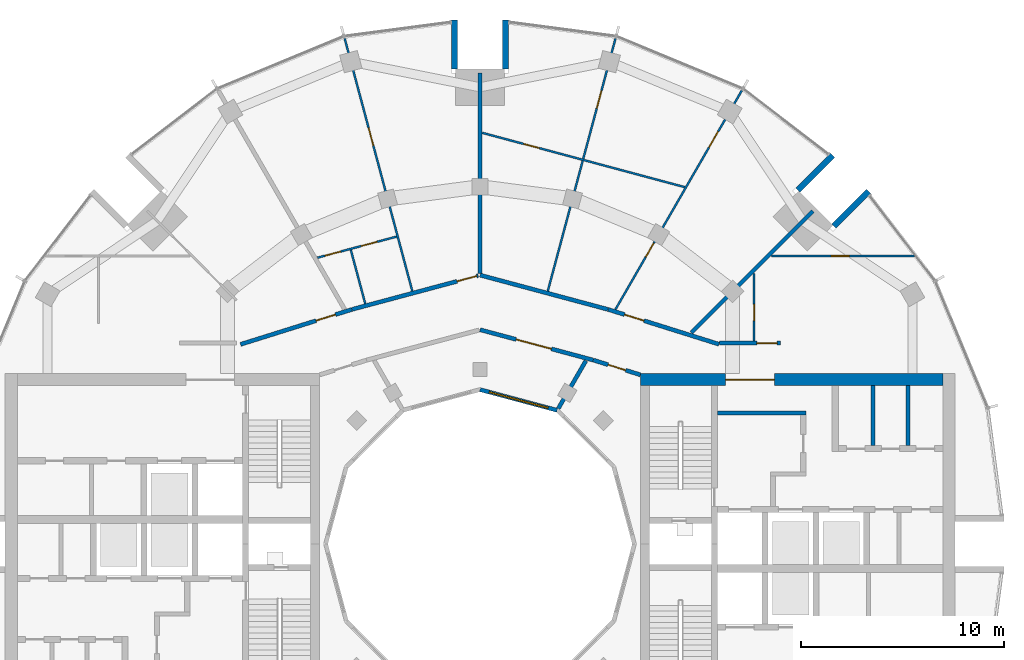
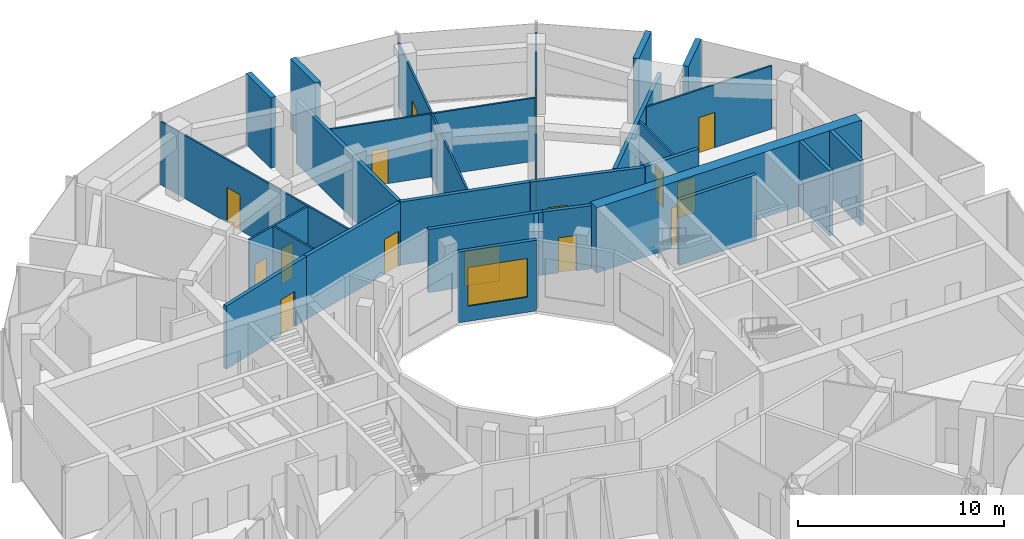
# One storey, part 12 of 15: 27 walls, 16 doors, 1 window, 17 openings.
"""IFC4 building model written with IfcOpenShell, lengths in metres."""

from ifc_helpers import new_model, si_unit, direction, frame, frame_2d, origin, place, context, subcontext, project, spatial, rectangle, extrude, material, layer, layer_set, type_object, element, fill, save


model = new_model("IFC4")

# Units and contexts
model_context = context("Model", 3, precision=1e-05, world=origin(), true_north=direction((0.0, 1.0)))
body_context = subcontext(model_context, "Body", "Model", "MODEL_VIEW")
ifc_project = project(units=[si_unit("LENGTHUNIT", "METRE"), si_unit("AREAUNIT", "SQUARE_METRE"), si_unit("VOLUMEUNIT", "CUBIC_METRE"), si_unit("PLANEANGLEUNIT", "RADIAN"), si_unit("MASSUNIT", "GRAM", prefix="KILO")], contexts=[model_context])

# Site, building, storey
site_placement = place(None, origin())
site = spatial("IfcSite", under=ifc_project, at=site_placement, CompositionType="ELEMENT")
building_placement = place(site_placement, origin())
building = spatial("IfcBuilding", under=site, at=building_placement, Name="Torre Brocal", CompositionType="ELEMENT")
storey_placement = place(building_placement, frame((0.0, 0.0, 212.5)))
storey = spatial("IfcBuildingStorey", under=building, at=storey_placement, Name="L49", CompositionType="ELEMENT", Elevation=212.5)

# Walls
ifc_material_1 = material(Name="Masonry block", Category="masonry")
ifc_layer_1 = layer(ifc_material_1, 0.199951171875)
ifc_layer_set_1 = layer_set([ifc_layer_1], Name="Masonry block")
wall_type_1 = type_object("IfcWallType", Name="CORE PARTITION 200", PredefinedType="PARTITIONING", material=ifc_layer_set_1)
for number, where, z_axis, x_axis, name in (
    (1, (99.36669921875, 79.85009765625, 0.0), (0.0, 0.0, 1.0), (0.0, 1.0, 0.0), "Wall CP200"),
    (2, (101.083251953125, 79.85009765625, 0.0), (0.0, 0.0, 1.0), (0.0, 1.0, 0.0), "Wall CP200"),
):
    element("IfcWall", number, at=place(storey_placement, frame(where, z_axis=z_axis, x_axis=x_axis)), inside=storey, type_object=wall_type_1, Name=name, PredefinedType="PARTITIONING", context=body_context, shape_type="SweptSolid", body=[
        extrude(rectangle(XDim=2.949951171875, YDim=0.199951171875, at=frame_2d((1.47509765625, 0.0))), origin(), (0.0, 0.0, 1.0), 3.8798828125),
    ])
ifc_material_2 = material(Name="Concrete C60", Category="concrete")
ifc_layer_2 = layer(ifc_material_2, 0.199951171875)
ifc_layer_set_2 = layer_set([ifc_layer_2], Name="Concrete C60")
wall_type_2 = type_object("IfcWallType", Name="CORE WALL 200 C60", PredefinedType="SHEAR", material=ifc_layer_set_2)
wall_1_placement = place(storey_placement, frame((91.699951171875, 81.449951171875, 0.0), z_axis=(0.0, 0.0, 1.0), x_axis=(1.0, 0.0, 0.0)))
element("IfcWall", 3, at=wall_1_placement, inside=storey, type_object=wall_type_2, Name="Wall CW200-60", PredefinedType="SHEAR", context=body_context, shape_type="SweptSolid", body=[
    extrude(rectangle(XDim=4.35009765625, YDim=0.199951171875, at=frame_2d((2.175048828125, 0.0))), origin(), (0.0, 0.0, 1.0), 3.8798828125),
])

# Wall, opening, door
ifc_material_3 = material(Name="Concrete C60", Category="concrete")
ifc_layer_3 = layer(ifc_material_3, 0.60009765625)
ifc_layer_set_3 = layer_set([ifc_layer_3], Name="Concrete C60")
wall_type_3 = type_object("IfcWallType", Name="CORE WALL 600 C60", PredefinedType="SHEAR", material=ifc_layer_set_3)
wall_2_placement = place(storey_placement, frame((87.89990234375, 83.10009765625, 0.0), z_axis=(0.0, 0.0, 1.0), x_axis=(1.0, 0.0, 0.0)))
wall_2 = element("IfcWall", 4, at=wall_2_placement, inside=storey, type_object=wall_type_3, Name="Wall CW600-60", PredefinedType="SHEAR", context=body_context, shape_type="SweptSolid", body=[
    extrude(rectangle(XDim=14.900146484375, YDim=0.60009765625, at=frame_2d((7.4501953125, 0.0))), origin(), (0.0, 0.0, 1.0), 3.8798828125),
])
opening_1_placement = place(wall_2_placement, frame((4.199951171875, 0.0, 0.0)))
opening_1 = element("IfcOpeningElement", 5, at=opening_1_placement, cuts=wall_2, Name="Opening E-D12", PredefinedType="OPENING", context=body_context, shape_type="SweptSolid", body=[
    extrude(rectangle(XDim=2.39990234375, YDim=2.39990234375, at=frame_2d((1.199951171875, 1.199951171875))), frame((0.0, 0.31005859375, 0.0), z_axis=(0.0, -1.0, 0.0), x_axis=(1.0, 0.0, 0.0)), (0.0, 0.0, 1.0), 0.6201171875),
])
ifc_material_4 = material(Name="Steel A653", Category="steel")
door_type_1 = type_object("IfcDoorType", Name="DOUBLE FIRE DOOR FD90 2400X2400", OperationType="DOUBLE_DOOR_SINGLE_SWING", PredefinedType="DOOR", material=ifc_material_4)
door_1_placement = place(opening_1_placement, frame((2.39990234375, 0.0, 0.0), z_axis=(0.0, 0.0, 1.0), x_axis=(-1.0, 0.0, 0.0)))
door_1 = element("IfcDoor", 6, at=door_1_placement, inside=storey, type_object=door_type_1, Name="Door E-D12", OperationType="DOUBLE_DOOR_SINGLE_SWING", OverallHeight=2.39990234375, OverallWidth=2.39990234375, PredefinedType="DOOR", context=body_context, shape_type="SweptSolid", body=[
    extrude(rectangle(XDim=2.39990234375, YDim=2.39990234375, at=frame_2d((1.199951171875, 1.199951171875))), frame((0.0, 0.02490234375, 0.0), z_axis=(0.0, -1.0, 0.0), x_axis=(1.0, 0.0, 0.0)), (0.0, 0.0, 1.0), 0.050048828125),
])
fill(opening_1, door_1)

# Walls
ifc_material_5 = material(Name="Concrete C60", Category="concrete")
ifc_layer_4 = layer(ifc_material_5, 0.300048828125)
ifc_layer_set_4 = layer_set([ifc_layer_4], Name="Concrete C60")
wall_type_4 = type_object("IfcWallType", Name="NOTCH RETURN WALL 300 C60", PredefinedType="NOTDEFINED", material=ifc_layer_set_4)
for number, where, z_axis, x_axis, name in (
    (7, (97.43017578125, 90.662353515625, 0.0), (0.0, 0.0, 1.0), (0.707106781187, 0.707106781187, 0.0), "NOTCH RETURN WALL"),
    (8, (95.662353515625, 92.43017578125, 0.0), (0.0, 0.0, 1.0), (0.707106781187, 0.707106781187, 0.0), "NOTCH RETURN WALL"),
    (9, (81.25, 98.39990234375, 0.0), (0.0, 0.0, 1.0), (0.0, 1.0, 0.0), "NOTCH RETURN WALL"),
    (10, (78.75, 98.39990234375, 0.0), (0.0, 0.0, 1.0), (0.0, 1.0, 0.0), "NOTCH RETURN WALL"),
):
    element("IfcWall", number, at=place(storey_placement, frame(where, z_axis=z_axis, x_axis=x_axis)), inside=storey, type_object=wall_type_4, Name=name, PredefinedType="NOTDEFINED", context=body_context, shape_type="SweptSolid", body=[
        extrude(rectangle(XDim=2.415771484375, YDim=0.300048828125, at=frame_2d((1.2080078125, 0.0))), origin(), (0.0, 0.0, 1.0), 4.199951171875),
    ])

# Wall, openings, doors
ifc_material_6 = material(Name="Gypsum board", Category="Gypsum")
ifc_layer_5 = layer(ifc_material_6, 0.10009765625)
ifc_layer_set_5 = layer_set([ifc_layer_5], Name="Gypsum board")
wall_type_5 = type_object("IfcWallType", Name="PARTITION 100", PredefinedType="PARTITIONING", material=ifc_layer_set_5)
wall_3_placement = place(storey_placement, frame((71.9912109375, 89.104248046875, 0.0), z_axis=(0.0, 0.0, 1.0), x_axis=(0.96632826418, 0.257312428472, 0.0)))
wall_3 = element("IfcWall", 11, at=wall_3_placement, inside=storey, type_object=wall_type_5, Name="BATHROOM WALL", PredefinedType="PARTITIONING", context=body_context, shape_type="SweptSolid", body=[
    extrude(rectangle(XDim=4.035400390625, YDim=0.10009765625, at=frame_2d((2.017578125, 0.0))), origin(), (0.0, 0.0, 1.0), 3.75),
])
opening_2_placement = place(wall_3_placement, frame((2.235107421875, 0.0, 0.0)))
opening_2 = element("IfcOpeningElement", 12, at=opening_2_placement, cuts=wall_3, Name="Opening B01-D11", PredefinedType="OPENING", context=body_context, shape_type="SweptSolid", body=[
    extrude(rectangle(XDim=0.800048828125, YDim=2.10009765625, at=frame_2d((0.39990234375, 1.050048828125))), frame((0.0, 0.06005859375, 0.0), z_axis=(0.0, -1.0, 0.0), x_axis=(1.0, 0.0, 0.0)), (0.0, 0.0, 1.0), 0.1201171875),
])
opening_3_placement = place(wall_3_placement, frame((0.3828125, 0.0, 0.0)))
opening_3 = element("IfcOpeningElement", 13, at=opening_3_placement, cuts=wall_3, Name="Opening B01-D12", PredefinedType="OPENING", context=body_context, shape_type="SweptSolid", body=[
    extrude(rectangle(XDim=0.800048828125, YDim=2.10009765625, at=frame_2d((0.39990234375, 1.050048828125))), frame((0.0, 0.06005859375, 0.0), z_axis=(0.0, -1.0, 0.0), x_axis=(1.0, 0.0, 0.0)), (0.0, 0.0, 1.0), 0.1201171875),
])
ifc_material_7 = material(Name="Timber", Category="wood")
door_type_2 = type_object("IfcDoorType", Name="BATHROOM DOOR 800X2100", OperationType="SINGLE_SWING_LEFT", PredefinedType="DOOR", material=ifc_material_7)
door_2_placement = place(opening_2_placement, frame((0.800048828125, 0.0, 0.0), z_axis=(0.0, 0.0, 1.0), x_axis=(-1.0, 0.0, 0.0)))
door_2 = element("IfcDoor", 14, at=door_2_placement, inside=storey, type_object=door_type_2, Name="B01-D11", OperationType="SINGLE_SWING_RIGHT", OverallHeight=2.10009765625, OverallWidth=0.800048828125, PredefinedType="DOOR", context=body_context, shape_type="SweptSolid", body=[
    extrude(rectangle(XDim=0.800048828125, YDim=2.10009765625, at=frame_2d((0.39990234375, 1.050048828125))), frame((0.0, 0.02490234375, 0.0), z_axis=(0.0, -1.0, 0.0), x_axis=(1.0, 0.0, 0.0)), (0.0, 0.0, 1.0), 0.050048828125),
])
fill(opening_2, door_2)
door_3_placement = place(opening_3_placement, frame((0.800048828125, 0.0, 0.0), z_axis=(0.0, 0.0, 1.0), x_axis=(-1.0, 0.0, 0.0)))
door_3 = element("IfcDoor", 15, at=door_3_placement, inside=storey, type_object=door_type_2, Name="B01-D12", OperationType="SINGLE_SWING_RIGHT", OverallHeight=2.10009765625, OverallWidth=0.800048828125, PredefinedType="DOOR", context=body_context, shape_type="SweptSolid", body=[
    extrude(rectangle(XDim=0.800048828125, YDim=2.10009765625, at=frame_2d((0.39990234375, 1.050048828125))), frame((0.0, 0.02490234375, 0.0), z_axis=(0.0, -1.0, 0.0), x_axis=(1.0, 0.0, 0.0)), (0.0, 0.0, 1.0), 0.050048828125),
])
fill(opening_3, door_3)

# Wall, opening, door
wall_4_placement = place(storey_placement, frame((73.32568359375, 99.919921875, 0.0), z_axis=(0.0, 0.0, 1.0), x_axis=(0.258675243249, -0.965964346407, 0.0)))
wall_4 = element("IfcWall", 16, at=wall_4_placement, inside=storey, type_object=wall_type_5, Name="BATHROOM WALL", PredefinedType="PARTITIONING", context=body_context, shape_type="SweptSolid", body=[
    extrude(rectangle(XDim=12.90380859375, YDim=0.10009765625, at=frame_2d((6.451904296875, 0.0))), origin(), (0.0, 0.0, 1.0), 3.75),
])
opening_4_placement = place(wall_4_placement, frame((4.5771484375, 0.0, 0.0)))
opening_4 = element("IfcOpeningElement", 17, at=opening_4_placement, cuts=wall_4, Name="Opening B01-D10", PredefinedType="OPENING", context=body_context, shape_type="SweptSolid", body=[
    extrude(rectangle(XDim=0.89990234375, YDim=2.10009765625, at=frame_2d((0.449951171875, 1.050048828125))), frame((0.0, 0.06005859375, 0.0), z_axis=(0.0, -1.0, 0.0), x_axis=(1.0, 0.0, 0.0)), (0.0, 0.0, 1.0), 0.1201171875),
])
ifc_material_8 = material(Name="Timber", Category="wood")
door_type_3 = type_object("IfcDoorType", Name="ROOM DOOR 900X2100", OperationType="SINGLE_SWING_LEFT", PredefinedType="DOOR", material=ifc_material_8)
door_4_placement = place(opening_4_placement, frame((0.89990234375, 0.0, 0.0), z_axis=(0.0, 0.0, 1.0), x_axis=(-1.0, 0.0, 0.0)))
door_4 = element("IfcDoor", 18, at=door_4_placement, inside=storey, type_object=door_type_3, Name="B01-D10", OperationType="SINGLE_SWING_RIGHT", OverallHeight=2.10009765625, OverallWidth=0.89990234375, PredefinedType="DOOR", context=body_context, shape_type="SweptSolid", body=[
    extrude(rectangle(XDim=0.89990234375, YDim=2.10009765625, at=frame_2d((0.449951171875, 1.050048828125))), frame((0.0, 0.02490234375, 0.0), z_axis=(0.0, -1.0, 0.0), x_axis=(1.0, 0.0, 0.0)), (0.0, 0.0, 1.0), 0.050048828125),
])
fill(opening_4, door_4)

# Wall
wall_5_placement = place(storey_placement, frame((73.6328125, 89.48974609375, 0.0), z_axis=(0.0, 0.0, 1.0), x_axis=(0.259005329799, -0.965875892201, 0.0)))
element("IfcWall", 19, at=wall_5_placement, inside=storey, type_object=wall_type_5, Name="BATHROOM WALL", PredefinedType="PARTITIONING", context=body_context, shape_type="SweptSolid", body=[
    extrude(rectangle(XDim=2.74951171875, YDim=0.10009765625, at=frame_2d((1.374755859375, 0.0))), origin(), (0.0, 0.0, 1.0), 3.75),
])

# Wall, opening, door
wall_6_placement = place(storey_placement, frame((80.106201171875, 95.257568359375, 0.0), z_axis=(0.0, 0.0, 1.0), x_axis=(0.965862886122, -0.259053826862, 0.0)))
wall_6 = element("IfcWall", 20, at=wall_6_placement, inside=storey, type_object=wall_type_5, Name="BATHROOM WALL", PredefinedType="PARTITIONING", context=body_context, shape_type="SweptSolid", body=[
    extrude(rectangle(XDim=10.3310546875, YDim=0.10009765625, at=frame_2d((5.16552734375, 0.0))), origin(), (0.0, 0.0, 1.0), 3.75),
])
opening_5_placement = place(wall_6_placement, frame((2.114990234375, 0.0, 0.0)))
opening_5 = element("IfcOpeningElement", 21, at=opening_5_placement, cuts=wall_6, Name="Opening B01-D08", PredefinedType="OPENING", context=body_context, shape_type="SweptSolid", body=[
    extrude(rectangle(XDim=0.800048828125, YDim=2.10009765625, at=frame_2d((0.39990234375, 1.050048828125))), frame((0.0, 0.06005859375, 0.0), z_axis=(0.0, -1.0, 0.0), x_axis=(1.0, 0.0, 0.0)), (0.0, 0.0, 1.0), 0.1201171875),
])
door_5_placement = place(opening_5_placement, frame((0.800048828125, 0.0, 0.0), z_axis=(0.0, 0.0, 1.0), x_axis=(-1.0, 0.0, 0.0)))
door_5 = element("IfcDoor", 22, at=door_5_placement, inside=storey, type_object=door_type_2, Name="B01-D08", OperationType="SINGLE_SWING_RIGHT", OverallHeight=2.10009765625, OverallWidth=0.800048828125, PredefinedType="DOOR", context=body_context, shape_type="SweptSolid", body=[
    extrude(rectangle(XDim=0.800048828125, YDim=2.10009765625, at=frame_2d((0.39990234375, 1.050048828125))), frame((0.0, 0.02490234375, 0.0), z_axis=(0.0, -1.0, 0.0), x_axis=(1.0, 0.0, 0.0)), (0.0, 0.0, 1.0), 0.050048828125),
])
fill(opening_5, door_5)

wall_7_placement = place(storey_placement, frame((83.3369140625, 87.455078125, 0.0), z_axis=(0.0, 0.0, 1.0), x_axis=(0.258843579905, 0.965919251875, 0.0)))
wall_7 = element("IfcWall", 23, at=wall_7_placement, inside=storey, type_object=wall_type_5, Name="BATHROOM WALL", PredefinedType="PARTITIONING", context=body_context, shape_type="SweptSolid", body=[
    extrude(rectangle(XDim=12.90380859375, YDim=0.10009765625, at=frame_2d((6.451904296875, 0.0))), origin(), (0.0, 0.0, 1.0), 3.75),
])
opening_6_placement = place(wall_7_placement, frame((9.326416015625, 0.0, 0.0)))
opening_6 = element("IfcOpeningElement", 24, at=opening_6_placement, cuts=wall_7, Name="Opening B01-D07", PredefinedType="OPENING", context=body_context, shape_type="SweptSolid", body=[
    extrude(rectangle(XDim=0.89990234375, YDim=2.10009765625, at=frame_2d((0.449951171875, 1.050048828125))), frame((0.0, 0.06005859375, 0.0), z_axis=(0.0, -1.0, 0.0), x_axis=(1.0, 0.0, 0.0)), (0.0, 0.0, 1.0), 0.1201171875),
])
door_6_placement = place(opening_6_placement, origin())
door_6 = element("IfcDoor", 25, at=door_6_placement, inside=storey, type_object=door_type_3, Name="B01-D07", OperationType="SINGLE_SWING_RIGHT", OverallHeight=2.10009765625, OverallWidth=0.89990234375, PredefinedType="DOOR", context=body_context, shape_type="SweptSolid", body=[
    extrude(rectangle(XDim=0.89990234375, YDim=2.10009765625, at=frame_2d((0.449951171875, 1.050048828125))), frame((0.0, 0.02490234375, 0.0), z_axis=(0.0, -1.0, 0.0), x_axis=(1.0, 0.0, 0.0)), (0.0, 0.0, 1.0), 0.050048828125),
])
fill(opening_6, door_6)

# Wall, openings, doors
wall_8_placement = place(storey_placement, frame((86.6708984375, 86.55419921875, 0.0), z_axis=(0.0, 0.0, 1.0), x_axis=(0.50001992892, 0.866013897511, 0.0)))
wall_8 = element("IfcWall", 26, at=wall_8_placement, inside=storey, type_object=wall_type_5, Name="BATHROOM WALL", PredefinedType="PARTITIONING", context=body_context, shape_type="SweptSolid", body=[
    extrude(rectangle(XDim=12.4560546875, YDim=0.10009765625, at=frame_2d((6.22802734375, 0.0))), origin(), (0.0, 0.0, 1.0), 3.75),
])
opening_7_placement = place(wall_8_placement, frame((9.214599609375, 0.0, 0.0)))
opening_7 = element("IfcOpeningElement", 27, at=opening_7_placement, cuts=wall_8, Name="Opening B01-D05", PredefinedType="OPENING", context=body_context, shape_type="SweptSolid", body=[
    extrude(rectangle(XDim=0.89990234375, YDim=2.10009765625, at=frame_2d((0.449951171875, 1.050048828125))), frame((0.0, 0.06005859375, 0.0), z_axis=(0.0, -1.0, 0.0), x_axis=(1.0, 0.0, 0.0)), (0.0, 0.0, 1.0), 0.1201171875),
])
opening_8_placement = place(wall_8_placement, frame((2.973876953125, 0.0, 0.0)))
opening_8 = element("IfcOpeningElement", 28, at=opening_8_placement, cuts=wall_8, Name="Opening B01-D06", PredefinedType="OPENING", context=body_context, shape_type="SweptSolid", body=[
    extrude(rectangle(XDim=0.800048828125, YDim=2.10009765625, at=frame_2d((0.39990234375, 1.050048828125))), frame((0.0, 0.06005859375, 0.0), z_axis=(0.0, -1.0, 0.0), x_axis=(1.0, 0.0, 0.0)), (0.0, 0.0, 1.0), 0.1201171875),
])
door_7_placement = place(opening_8_placement, origin())
door_7 = element("IfcDoor", 29, at=door_7_placement, inside=storey, type_object=door_type_2, Name="B01-D06", OperationType="SINGLE_SWING_RIGHT", OverallHeight=2.10009765625, OverallWidth=0.800048828125, PredefinedType="DOOR", context=body_context, shape_type="SweptSolid", body=[
    extrude(rectangle(XDim=0.800048828125, YDim=2.10009765625, at=frame_2d((0.39990234375, 1.050048828125))), frame((0.0, 0.02490234375, 0.0), z_axis=(0.0, -1.0, 0.0), x_axis=(1.0, 0.0, 0.0)), (0.0, 0.0, 1.0), 0.050048828125),
])
fill(opening_8, door_7)
door_8_placement = place(opening_7_placement, frame((0.89990234375, 0.0, 0.0), z_axis=(0.0, 0.0, 1.0), x_axis=(-1.0, 0.0, 0.0)))
door_8 = element("IfcDoor", 30, at=door_8_placement, inside=storey, type_object=door_type_3, Name="B01-D05", OperationType="SINGLE_SWING_LEFT", OverallHeight=2.10009765625, OverallWidth=0.89990234375, PredefinedType="DOOR", context=body_context, shape_type="SweptSolid", body=[
    extrude(rectangle(XDim=0.89990234375, YDim=2.10009765625, at=frame_2d((0.449951171875, 1.050048828125))), frame((0.0, 0.02490234375, 0.0), z_axis=(0.0, -1.0, 0.0), x_axis=(1.0, 0.0, 0.0)), (0.0, 0.0, 1.0), 0.050048828125),
])
fill(opening_7, door_8)

# Wall, opening, door
wall_9_placement = place(storey_placement, frame((93.5, 85.0, 0.0), z_axis=(0.0, 0.0, 1.0), x_axis=(0.0, 1.0, 0.0)))
wall_9 = element("IfcWall", 31, at=wall_9_placement, inside=storey, type_object=wall_type_5, Name="BATHROOM WALL", PredefinedType="PARTITIONING", context=body_context, shape_type="SweptSolid", body=[
    extrude(rectangle(XDim=3.3193359375, YDim=0.10009765625, at=frame_2d((1.65966796875, 0.0))), origin(), (0.0, 0.0, 1.0), 3.75),
])
opening_9_placement = place(wall_9_placement, frame((1.0, 0.0, 0.0)))
opening_9 = element("IfcOpeningElement", 32, at=opening_9_placement, cuts=wall_9, Name="Opening B01-D03", PredefinedType="OPENING", context=body_context, shape_type="SweptSolid", body=[
    extrude(rectangle(XDim=0.800048828125, YDim=2.10009765625, at=frame_2d((0.39990234375, 1.050048828125))), frame((0.0, 0.06005859375, 0.0), z_axis=(0.0, -1.0, 0.0), x_axis=(1.0, 0.0, 0.0)), (0.0, 0.0, 1.0), 0.1201171875),
])
door_9_placement = place(opening_9_placement, origin())
door_9 = element("IfcDoor", 33, at=door_9_placement, inside=storey, type_object=door_type_2, Name="B01-D03", OperationType="SINGLE_SWING_LEFT", OverallHeight=2.10009765625, OverallWidth=0.800048828125, PredefinedType="DOOR", context=body_context, shape_type="SweptSolid", body=[
    extrude(rectangle(XDim=0.800048828125, YDim=2.10009765625, at=frame_2d((0.39990234375, 1.050048828125))), frame((0.0, 0.02490234375, 0.0), z_axis=(0.0, -1.0, 0.0), x_axis=(1.0, 0.0, 0.0)), (0.0, 0.0, 1.0), 0.050048828125),
])
fill(opening_9, door_9)

wall_10_placement = place(storey_placement, frame((94.36865234375, 89.18798828125, 0.0), z_axis=(0.0, 0.0, 1.0), x_axis=(1.0, 0.0, 0.0)))
wall_10 = element("IfcWall", 34, at=wall_10_placement, inside=storey, type_object=wall_type_5, Name="ROOM PARTITION", PredefinedType="PARTITIONING", context=body_context, shape_type="SweptSolid", body=[
    extrude(rectangle(XDim=7.03125, YDim=0.10009765625, at=frame_2d((3.515625, 0.0))), origin(), (0.0, 0.0, 1.0), 3.75),
])
opening_10_placement = place(wall_10_placement, frame((2.9267578125, 0.0, 0.0)))
opening_10 = element("IfcOpeningElement", 35, at=opening_10_placement, cuts=wall_10, Name="Opening B01-D01", PredefinedType="OPENING", context=body_context, shape_type="SweptSolid", body=[
    extrude(rectangle(XDim=0.89990234375, YDim=2.10009765625, at=frame_2d((0.449951171875, 1.050048828125))), frame((0.0, 0.06005859375, 0.0), z_axis=(0.0, -1.0, 0.0), x_axis=(1.0, 0.0, 0.0)), (0.0, 0.0, 1.0), 0.1201171875),
])
door_10_placement = place(opening_10_placement, origin())
door_10 = element("IfcDoor", 36, at=door_10_placement, inside=storey, type_object=door_type_3, Name="B01-D01", OperationType="SINGLE_SWING_LEFT", OverallHeight=2.10009765625, OverallWidth=0.89990234375, PredefinedType="DOOR", context=body_context, shape_type="SweptSolid", body=[
    extrude(rectangle(XDim=0.89990234375, YDim=2.10009765625, at=frame_2d((0.449951171875, 1.050048828125))), frame((0.0, 0.02490234375, 0.0), z_axis=(0.0, -1.0, 0.0), x_axis=(1.0, 0.0, 0.0)), (0.0, 0.0, 1.0), 0.050048828125),
])
fill(opening_10, door_10)

ifc_material_9 = material(Name="Gypsum board", Category="Gypsum")
ifc_layer_6 = layer(ifc_material_9, 0.199951171875)
ifc_layer_set_6 = layer_set([ifc_layer_6], Name="Gypsum board")
wall_type_6 = type_object("IfcWallType", Name="PARTITION 200 EI60", PredefinedType="PARTITIONING", material=ifc_layer_set_6)
wall_11_placement = place(storey_placement, frame((68.199951171875, 84.83349609375, 0.0), z_axis=(0.0, 0.0, 1.0), x_axis=(0.954204109499, 0.299156342762, 0.0)))
wall_11 = element("IfcWall", 37, at=wall_11_placement, inside=storey, type_object=wall_type_6, Name="FLAT ENTRANCE WALL", PredefinedType="PARTITIONING", context=body_context, shape_type="SweptSolid", body=[
    extrude(rectangle(XDim=5.740478515625, YDim=0.199951171875, at=frame_2d((2.8701171875, 0.0))), origin(), (0.0, 0.0, 1.0), 3.75),
])
opening_11_placement = place(wall_11_placement, frame((3.90283203125, 0.0, 0.0)))
opening_11 = element("IfcOpeningElement", 38, at=opening_11_placement, cuts=wall_11, Name="Opening B01-D13", PredefinedType="OPENING", context=body_context, shape_type="SweptSolid", body=[
    extrude(rectangle(XDim=1.0, YDim=2.10009765625, at=frame_2d((0.5, 1.050048828125))), frame((0.0, 0.10986328125, 0.0), z_axis=(0.0, -1.0, 0.0), x_axis=(1.0, 0.0, 0.0)), (0.0, 0.0, 1.0), 0.219970703125),
])
ifc_material_10 = material(Name="Timber", Category="wood")
door_type_4 = type_object("IfcDoorType", Name="FLAT ENTRY DOOR FD30S 1000X2100", OperationType="SINGLE_SWING_RIGHT", PredefinedType="DOOR", material=ifc_material_10)
door_11_placement = place(opening_11_placement, origin())
door_11 = element("IfcDoor", 39, at=door_11_placement, inside=storey, type_object=door_type_4, Name="B01-D13", OperationType="SINGLE_SWING_RIGHT", OverallHeight=2.10009765625, OverallWidth=1.0, PredefinedType="DOOR", context=body_context, shape_type="SweptSolid", body=[
    extrude(rectangle(XDim=1.0, YDim=2.10009765625, at=frame_2d((0.5, 1.050048828125))), frame((0.0, 0.02490234375, 0.0), z_axis=(0.0, -1.0, 0.0), x_axis=(1.0, 0.0, 0.0)), (0.0, 0.0, 1.0), 0.050048828125),
])
fill(opening_11, door_11)

wall_12_placement = place(storey_placement, frame((73.686767578125, 86.5546875, 0.0), z_axis=(0.0, 0.0, 1.0), x_axis=(0.966020868517, 0.258464081818, 0.0)))
wall_12 = element("IfcWall", 40, at=wall_12_placement, inside=storey, type_object=wall_type_6, Name="FLAT ENTRANCE WALL", PredefinedType="PARTITIONING", context=body_context, shape_type="SweptSolid", body=[
    extrude(rectangle(XDim=6.44580078125, YDim=0.199951171875, at=frame_2d((3.222900390625, 0.0))), origin(), (0.0, 0.0, 1.0), 3.75),
])
opening_12_placement = place(wall_12_placement, frame((5.36181640625, 0.0, 0.0)))
opening_12 = element("IfcOpeningElement", 41, at=opening_12_placement, cuts=wall_12, Name="Opening B01-D09", PredefinedType="OPENING", context=body_context, shape_type="SweptSolid", body=[
    extrude(rectangle(XDim=1.0, YDim=2.10009765625, at=frame_2d((0.5, 1.050048828125))), frame((0.0, 0.10986328125, 0.0), z_axis=(0.0, -1.0, 0.0), x_axis=(1.0, 0.0, 0.0)), (0.0, 0.0, 1.0), 0.219970703125),
])
door_12_placement = place(opening_12_placement, origin())
door_12 = element("IfcDoor", 42, at=door_12_placement, inside=storey, type_object=door_type_4, Name="B01-D09", OperationType="SINGLE_SWING_RIGHT", OverallHeight=2.10009765625, OverallWidth=1.0, PredefinedType="DOOR", context=body_context, shape_type="SweptSolid", body=[
    extrude(rectangle(XDim=1.0, YDim=2.10009765625, at=frame_2d((0.5, 1.050048828125))), frame((0.0, 0.02490234375, 0.0), z_axis=(0.0, -1.0, 0.0), x_axis=(1.0, 0.0, 0.0)), (0.0, 0.0, 1.0), 0.050048828125),
])
fill(opening_12, door_12)

wall_13_placement = place(storey_placement, frame((80.0, 85.55419921875, 0.0), z_axis=(0.0, 0.0, 1.0), x_axis=(0.965894438951, -0.258936155845, 0.0)))
wall_13 = element("IfcWall", 43, at=wall_13_placement, inside=storey, type_object=wall_type_6, Name="CORRIDOR WALL", PredefinedType="PARTITIONING", context=body_context, shape_type="SweptSolid", body=[
    extrude(rectangle(XDim=5.774169921875, YDim=0.199951171875, at=frame_2d((2.88720703125, 0.0))), origin(), (0.0, 0.0, 1.0), 3.75),
])
opening_13_placement = place(wall_13_placement, frame((1.84130859375, 0.0, 0.0)))
opening_13 = element("IfcOpeningElement", 44, at=opening_13_placement, cuts=wall_13, Name="Opening B01-D18", PredefinedType="OPENING", context=body_context, shape_type="SweptSolid", body=[
    extrude(rectangle(XDim=1.800048828125, YDim=2.10009765625, at=frame_2d((0.89990234375, 1.050048828125))), frame((0.0, 0.10986328125, 0.0), z_axis=(0.0, -1.0, 0.0), x_axis=(1.0, 0.0, 0.0)), (0.0, 0.0, 1.0), 0.219970703125),
])
ifc_material_11 = material(Name="Timber", Category="wood")
door_type_5 = type_object("IfcDoorType", Name="DOUBLE DOOR 1800X2100", OperationType="DOUBLE_DOOR_SINGLE_SWING", PredefinedType="DOOR", material=ifc_material_11)
door_13_placement = place(opening_13_placement, frame((1.800048828125, 0.0, 0.0), z_axis=(0.0, 0.0, 1.0), x_axis=(-1.0, 0.0, 0.0)))
door_13 = element("IfcDoor", 45, at=door_13_placement, inside=storey, type_object=door_type_5, Name="B01-D18", OperationType="DOUBLE_DOOR_SINGLE_SWING", OverallHeight=2.10009765625, OverallWidth=1.800048828125, PredefinedType="DOOR", context=body_context, shape_type="SweptSolid", body=[
    extrude(rectangle(XDim=1.800048828125, YDim=2.10009765625, at=frame_2d((0.89990234375, 1.050048828125))), frame((0.0, 0.02490234375, 0.0), z_axis=(0.0, -1.0, 0.0), x_axis=(1.0, 0.0, 0.0)), (0.0, 0.0, 1.0), 0.050048828125),
])
fill(opening_13, door_13)

# Walls
wall_14_placement = place(storey_placement, frame((80.0, 88.3359375, 0.0), z_axis=(0.0, 0.0, 1.0), x_axis=(0.0, 1.0, 0.0)))
element("IfcWall", 46, at=wall_14_placement, inside=storey, type_object=wall_type_6, Name="BATHROOM WALL", PredefinedType="PARTITIONING", context=body_context, shape_type="SweptSolid", body=[
    extrude(rectangle(XDim=9.864013671875, YDim=0.199951171875, at=frame_2d((4.93212890625, 0.0))), origin(), (0.0, 0.0, 1.0), 3.75),
])
wall_15_placement = place(storey_placement, frame((80.0, 88.24609375, 0.0), z_axis=(0.0, 0.0, 1.0), x_axis=(0.965866355913, -0.25904088966, 0.0)))
element("IfcWall", 47, at=wall_15_placement, inside=storey, type_object=wall_type_6, Name="GUESTROOM CORRIDOR WALL", PredefinedType="PARTITIONING", context=body_context, shape_type="SweptSolid", body=[
    extrude(rectangle(XDim=6.525634765625, YDim=0.199951171875, at=frame_2d((3.2626953125, 0.0))), origin(), (0.0, 0.0, 1.0), 3.75),
])
wall_16_placement = place(storey_placement, frame((83.8515625, 81.6669921875, 0.0), z_axis=(0.0, 0.0, 1.0), x_axis=(0.500138740334, 0.865945287196, 0.0)))
element("IfcWall", 48, at=wall_16_placement, inside=storey, type_object=wall_type_6, Name="SERVICE ROOM WALL", PredefinedType="PARTITIONING", context=body_context, shape_type="SweptSolid", body=[
    extrude(rectangle(XDim=2.724365234375, YDim=0.199951171875, at=frame_2d((1.3623046875, 0.0))), origin(), (0.0, 0.0, 1.0), 3.75),
])

# Wall, opening, door
wall_17_placement = place(storey_placement, frame((85.5869140625, 84.056884765625, 0.0), z_axis=(0.0, 0.0, 1.0), x_axis=(0.954239513179, -0.299043393987, 0.0)))
wall_17 = element("IfcWall", 49, at=wall_17_placement, inside=storey, type_object=wall_type_6, Name="CORRIDOR WALL", PredefinedType="PARTITIONING", context=body_context, shape_type="SweptSolid", body=[
    extrude(rectangle(XDim=2.423828125, YDim=0.199951171875, at=frame_2d((1.2119140625, 0.0))), origin(), (0.0, 0.0, 1.0), 3.75),
])
opening_14_placement = place(wall_17_placement, frame((0.761962890625, 0.0, 0.0)))
opening_14 = element("IfcOpeningElement", 50, at=opening_14_placement, cuts=wall_17, Name="Opening B01-D17", PredefinedType="OPENING", context=body_context, shape_type="SweptSolid", body=[
    extrude(rectangle(XDim=0.89990234375, YDim=2.10009765625, at=frame_2d((0.449951171875, 1.050048828125))), frame((0.0, 0.10986328125, 0.0), z_axis=(0.0, -1.0, 0.0), x_axis=(1.0, 0.0, 0.0)), (0.0, 0.0, 1.0), 0.219970703125),
])
door_14_placement = place(opening_14_placement, frame((0.89990234375, 0.0, 0.0), z_axis=(0.0, 0.0, 1.0), x_axis=(-1.0, 0.0, 0.0)))
door_14 = element("IfcDoor", 51, at=door_14_placement, inside=storey, type_object=door_type_3, Name="B01-D17", OperationType="SINGLE_SWING_LEFT", OverallHeight=2.10009765625, OverallWidth=0.89990234375, PredefinedType="DOOR", context=body_context, shape_type="SweptSolid", body=[
    extrude(rectangle(XDim=0.89990234375, YDim=2.10009765625, at=frame_2d((0.449951171875, 1.050048828125))), frame((0.0, 0.02490234375, 0.0), z_axis=(0.0, -1.0, 0.0), x_axis=(1.0, 0.0, 0.0)), (0.0, 0.0, 1.0), 0.050048828125),
])
fill(opening_14, door_14)

wall_18_placement = place(storey_placement, frame((86.31298828125, 86.554443359375, 0.0), z_axis=(0.0, 0.0, 1.0), x_axis=(0.954081217458, -0.299548043717, 0.0)))
wall_18 = element("IfcWall", 52, at=wall_18_placement, inside=storey, type_object=wall_type_6, Name="FLAT ENTRANCE WALL", PredefinedType="PARTITIONING", context=body_context, shape_type="SweptSolid", body=[
    extrude(rectangle(XDim=5.720703125, YDim=0.199951171875, at=frame_2d((2.8603515625, 0.0))), origin(), (0.0, 0.0, 1.0), 3.75),
])
opening_15_placement = place(wall_18_placement, frame((0.84765625, 0.0, 0.0)))
opening_15 = element("IfcOpeningElement", 53, at=opening_15_placement, cuts=wall_18, Name="Opening B01-D04", PredefinedType="OPENING", context=body_context, shape_type="SweptSolid", body=[
    extrude(rectangle(XDim=1.0, YDim=2.10009765625, at=frame_2d((0.5, 1.050048828125))), frame((0.0, 0.10986328125, 0.0), z_axis=(0.0, -1.0, 0.0), x_axis=(1.0, 0.0, 0.0)), (0.0, 0.0, 1.0), 0.219970703125),
])
door_15_placement = place(opening_15_placement, origin())
door_15 = element("IfcDoor", 54, at=door_15_placement, inside=storey, type_object=door_type_4, Name="B01-D04", OperationType="SINGLE_SWING_LEFT", OverallHeight=2.10009765625, OverallWidth=1.0, PredefinedType="DOOR", context=body_context, shape_type="SweptSolid", body=[
    extrude(rectangle(XDim=1.0, YDim=2.10009765625, at=frame_2d((0.5, 1.050048828125))), frame((0.0, 0.02490234375, 0.0), z_axis=(0.0, -1.0, 0.0), x_axis=(1.0, 0.0, 0.0)), (0.0, 0.0, 1.0), 0.050048828125),
])
fill(opening_15, door_15)

# Wall
wall_19_placement = place(storey_placement, frame((90.41552734375, 85.41650390625, 0.0), z_axis=(0.0, 0.0, 1.0), x_axis=(0.707265304299, 0.706948222527, 0.0)))
element("IfcWall", 55, at=wall_19_placement, inside=storey, type_object=wall_type_6, Name="BATHROOM WALL", PredefinedType="PARTITIONING", context=body_context, shape_type="SweptSolid", body=[
    extrude(rectangle(XDim=8.469482421875, YDim=0.199951171875, at=frame_2d((4.23486328125, 0.0))), origin(), (0.0, 0.0, 1.0), 3.75),
])

# Wall, opening, door
wall_20_placement = place(storey_placement, frame((91.800048828125, 84.89990234375, 0.0), z_axis=(0.0, 0.0, 1.0), x_axis=(1.0, 0.0, 0.0)))
wall_20 = element("IfcWall", 56, at=wall_20_placement, inside=storey, type_object=wall_type_6, Name="FLAT ENTRANCE WALL", PredefinedType="PARTITIONING", context=body_context, shape_type="SweptSolid", body=[
    extrude(rectangle(XDim=3.0, YDim=0.199951171875, at=frame_2d((1.5, 0.0))), origin(), (0.0, 0.0, 1.0), 3.75),
])
opening_16_placement = place(wall_20_placement, frame((1.840087890625, 0.0, 0.0)))
opening_16 = element("IfcOpeningElement", 57, at=opening_16_placement, cuts=wall_20, Name="Opening B01-D02", PredefinedType="OPENING", context=body_context, shape_type="SweptSolid", body=[
    extrude(rectangle(XDim=1.0, YDim=2.10009765625, at=frame_2d((0.5, 1.050048828125))), frame((0.0, 0.10986328125, 0.0), z_axis=(0.0, -1.0, 0.0), x_axis=(1.0, 0.0, 0.0)), (0.0, 0.0, 1.0), 0.219970703125),
])
door_16_placement = place(opening_16_placement, origin())
door_16 = element("IfcDoor", 58, at=door_16_placement, inside=storey, type_object=door_type_4, Name="B01-D02", OperationType="SINGLE_SWING_LEFT", OverallHeight=2.10009765625, OverallWidth=1.0, PredefinedType="DOOR", context=body_context, shape_type="SweptSolid", body=[
    extrude(rectangle(XDim=1.0, YDim=2.10009765625, at=frame_2d((0.5, 1.050048828125))), frame((0.0, 0.02490234375, 0.0), z_axis=(0.0, -1.0, 0.0), x_axis=(1.0, 0.0, 0.0)), (0.0, 0.0, 1.0), 0.050048828125),
])
fill(opening_16, door_16)

# Wall, opening, window
ifc_material_12 = material(Name="Concrete C40", Category="concrete")
ifc_layer_7 = layer(ifc_material_12, 0.199951171875)
ifc_layer_set_7 = layer_set([ifc_layer_7], Name="Concrete C40")
wall_type_7 = type_object("IfcWallType", Name="WELL FACADE WALL 200", PredefinedType="NOTDEFINED", material=ifc_layer_set_7)
wall_21_placement = place(storey_placement, frame((83.8017578125, 81.5849609375, 0.0), z_axis=(0.0, 0.0, 1.0), x_axis=(-0.965933654434, 0.258789828301, 0.0)))
wall_21 = element("IfcWall", 59, at=wall_21_placement, inside=storey, type_object=wall_type_7, Name="WELL FACADE WALL", PredefinedType="NOTDEFINED", context=body_context, shape_type="SweptSolid", body=[
    extrude(rectangle(XDim=3.935791015625, YDim=0.199951171875, at=frame_2d((1.9677734375, 0.0))), origin(), (0.0, 0.0, 1.0), 4.199951171875),
])
opening_17_placement = place(wall_21_placement, frame((0.468017578125, 0.0, 0.89990234375)))
opening_17 = element("IfcOpeningElement", 60, at=opening_17_placement, cuts=wall_21, Name="Opening W1", PredefinedType="OPENING", context=body_context, shape_type="SweptSolid", body=[
    extrude(rectangle(XDim=3.0, YDim=2.300048828125, at=frame_2d((1.5, 1.14990234375))), frame((0.0, 0.10986328125, 0.0), z_axis=(0.0, -1.0, 0.0), x_axis=(1.0, 0.0, 0.0)), (0.0, 0.0, 1.0), 0.219970703125),
])
ifc_material_13 = material(Name="Aluminium and glass", Category="aluminium")
window_type = type_object("IfcWindowType", Name="WELL WINDOW 3000X2300", PartitioningType="SINGLE_PANEL", PredefinedType="WINDOW", material=ifc_material_13)
window_placement = place(opening_17_placement, origin())
window = element("IfcWindow", 61, at=window_placement, inside=storey, type_object=window_type, Name="WELL WINDOW 3000X2300", OverallHeight=2.300048828125, OverallWidth=3.0, PartitioningType="SINGLE_PANEL", PredefinedType="WINDOW", context=body_context, shape_type="SweptSolid", body=[
    extrude(rectangle(XDim=3.0, YDim=2.300048828125, at=frame_2d((1.5, 1.14990234375))), frame((0.0, 0.030029296875, 0.0), z_axis=(0.0, -1.0, 0.0), x_axis=(1.0, 0.0, 0.0)), (0.0, 0.0, 1.0), 0.06005859375),
])
fill(opening_17, window)

save(model, "model.ifc")
